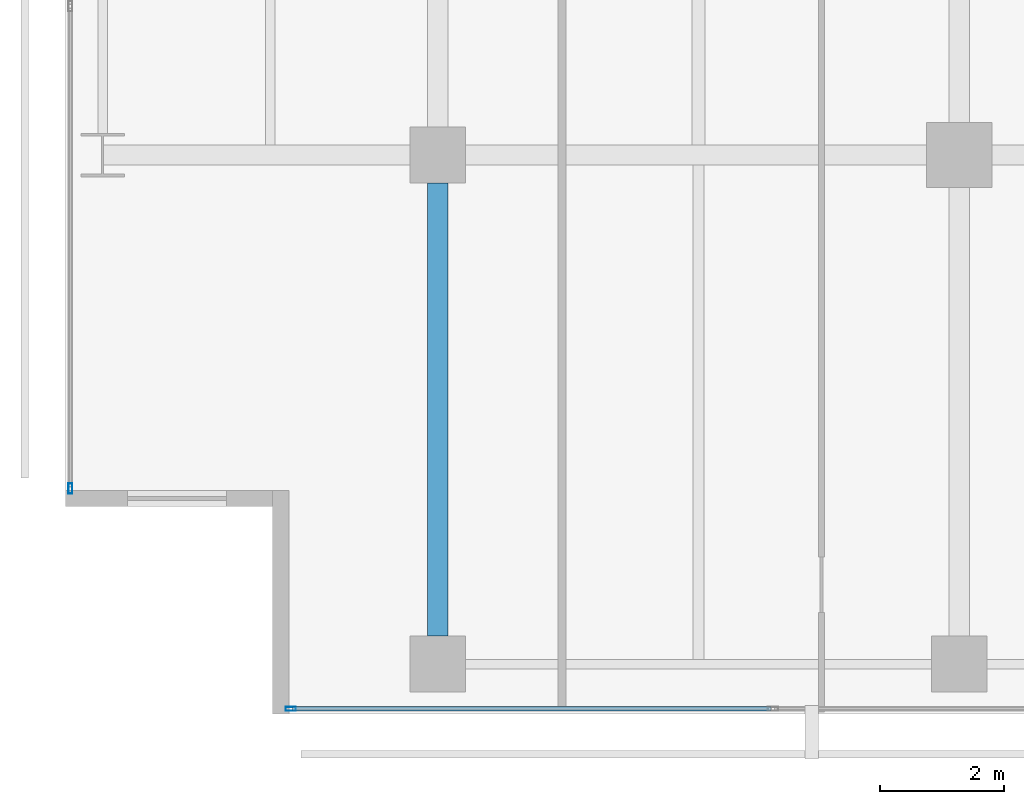
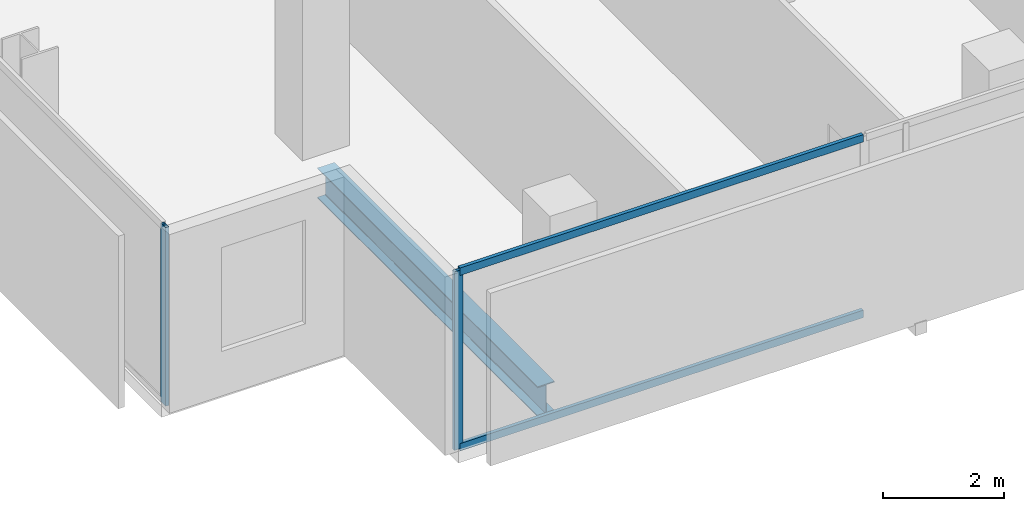
# One storey, part 2 of 40: 4 members, 1 beam, 2 elements without a shape of their own.
"""IFC4 building model written with IfcOpenShell, lengths in metres."""

from ifc_helpers import new_model, si_unit, direction, frame, origin, origin_2d, place, context, subcontext, project, spatial, hollow_rectangle, i_section, extrude, material, layer, layer_set, material_profile, profile_set, type_object, element, aggregate, save


model = new_model("IFC4")

# Units and contexts
model_context = context("Model", 3, precision=1e-05, world=origin(), true_north=direction((0.0, 1.0)))
body_context = subcontext(model_context, "Body", "Model", "MODEL_VIEW")
ifc_project = project(units=[si_unit("LENGTHUNIT", "METRE"), si_unit("AREAUNIT", "SQUARE_METRE"), si_unit("VOLUMEUNIT", "CUBIC_METRE"), si_unit("PLANEANGLEUNIT", "RADIAN"), si_unit("MASSUNIT", "GRAM", prefix="KILO")], contexts=[model_context])

# Site, building, storey
site_placement = place(None, origin())
site = spatial("IfcSite", under=ifc_project, at=site_placement, CompositionType="ELEMENT")
building_placement = place(site_placement, origin())
building = spatial("IfcBuilding", under=site, at=building_placement, Name="Maruvema Waterfront Hotel and Observation Tower", CompositionType="ELEMENT")
storey_placement = place(building_placement, frame((0.0, 0.0, 103.949951171875)))
storey = spatial("IfcBuildingStorey", under=building, at=storey_placement, Name="L25", CompositionType="ELEMENT", Elevation=103.949951171875)

# Curtain wall, members
ifc_material_1 = material(Name="Anodised bronze aluminium and solar-control low-E IGU", Category="aluminium")
ifc_layer = layer(ifc_material_1, 0.159912109375, Name="Zone 1 Bronze Inner Thermal Curtain Wall System CW-02")
ifc_layer_set = layer_set([ifc_layer], Name="Anodised bronze aluminium and solar-control low-E IGU")
curtain_wall_type = type_object("IfcCurtainWallType", Name="Zone 1 Bronze Inner Thermal Curtain Wall System CW-02", PredefinedType="USERDEFINED", material=ifc_layer_set)
curtain_wall_1_placement = place(storey_placement, origin())
curtain_wall_1 = element("IfcCurtainWall", 1, at=curtain_wall_1_placement, inside=storey, type_object=curtain_wall_type, Name="L25 Curtain Wall CW-L25-S", ObjectType="UNITISED CURTAIN WALL", PredefinedType="USERDEFINED")
ifc_material_2 = material(Name="Anodised architectural bronze aluminium", Category="aluminium")
ifc_material_profile_1 = material_profile(ifc_material_2, hollow_rectangle(XDim=0.070068359375, YDim=0.14990234375, WallThickness=0.00390625, at=origin_2d()), Name="ALU-T70x150")
ifc_profile_set_1 = profile_set([ifc_material_profile_1], Name="Anodised architectural bronze aluminium")
member_type_1 = type_object("IfcMemberType", Name="Curtain Wall Horizontal Transom ALU-T70x150", PredefinedType="USERDEFINED", material=ifc_profile_set_1)
member_1_placement = place(storey_placement, frame((14.4599609375, 0.080078125, 0.030029296875), z_axis=(1.0, 0.0, 0.0), x_axis=(0.0, 1.0, 0.0)))
member_1 = element("IfcMember", 2, at=member_1_placement, type_object=member_type_1, Name="CW-02 transom 1.1", ObjectType="TRANSOM", PredefinedType="USERDEFINED", context=body_context, shape_type="SweptSolid", body=[
    extrude(hollow_rectangle(XDim=0.070068359375, YDim=0.14990234375, WallThickness=0.00390625, at=origin_2d()), origin(), (0.0, 0.0, 1.0), 7.7099609375),
])
member_2_placement = place(storey_placement, frame((14.4599609375, 0.080078125, 3.580078125), z_axis=(1.0, 0.0, 0.0), x_axis=(0.0, 1.0, 0.0)))
member_2 = element("IfcMember", 3, at=member_2_placement, type_object=member_type_1, Name="CW-02 transom 1.2", ObjectType="TRANSOM", PredefinedType="USERDEFINED", context=body_context, shape_type="SweptSolid", body=[
    extrude(hollow_rectangle(XDim=0.070068359375, YDim=0.14990234375, WallThickness=0.00390625, at=origin_2d()), origin(), (0.0, 0.0, 1.0), 7.7099609375),
])
ifc_material_3 = material(Name="Anodised architectural bronze aluminium", Category="aluminium")
ifc_material_profile_2 = material_profile(ifc_material_3, hollow_rectangle(XDim=0.06494140625, YDim=0.1650390625, WallThickness=0.00390625, at=origin_2d()), Name="ALU-M65x165")
ifc_profile_set_2 = profile_set([ifc_material_profile_2], Name="Anodised architectural bronze aluminium")
member_type_2 = type_object("IfcMemberType", Name="Curtain Wall Primary Mullion ALU-M65x165", PredefinedType="MULLION", material=ifc_profile_set_2)
member_3_placement = place(storey_placement, frame((14.429931640625, 0.080078125, 0.0), z_axis=(0.0, 0.0, 1.0), x_axis=(0.0, 1.0, 0.0)))
member_3 = element("IfcMember", 4, at=member_3_placement, type_object=member_type_2, Name="CW-02 mullion 1", PredefinedType="MULLION", context=body_context, shape_type="SweptSolid", body=[
    extrude(hollow_rectangle(XDim=0.06494140625, YDim=0.1650390625, WallThickness=0.00390625, at=origin_2d()), origin(), (0.0, 0.0, 1.0), 3.610107421875),
])
aggregate(curtain_wall_1, [member_3, member_1, member_2])

# Curtain wall, member
curtain_wall_2_placement = place(storey_placement, origin())
curtain_wall_2 = element("IfcCurtainWall", 5, at=curtain_wall_2_placement, inside=storey, type_object=curtain_wall_type, Name="L25 Curtain Wall CW-L25-W", ObjectType="UNITISED CURTAIN WALL", PredefinedType="USERDEFINED")
member_4_placement = place(storey_placement, frame((10.8798828125, 3.6298828125, 0.0), z_axis=(0.0, 0.0, 1.0), x_axis=(1.0, 0.0, 0.0)))
member_4 = element("IfcMember", 6, at=member_4_placement, type_object=member_type_2, Name="CW-02 mullion 7", PredefinedType="MULLION", context=body_context, shape_type="SweptSolid", body=[
    extrude(hollow_rectangle(XDim=0.06494140625, YDim=0.1650390625, WallThickness=0.00390625, at=origin_2d()), origin(), (0.0, 0.0, 1.0), 3.610107421875),
])
aggregate(curtain_wall_2, [member_4])

# Beam
ifc_material_4 = material(Name="Steel ASTM A572 Grade 50", Category="steel")
ifc_material_profile_3 = material_profile(ifc_material_4, i_section(OverallWidth=0.323974609375, OverallDepth=0.611083984375, WebThickness=0.0126953125, FlangeThickness=0.01904296875, FilletRadius=0.01806640625, at=origin_2d()), Name="W610x155.0")
ifc_profile_set_3 = profile_set([ifc_material_profile_3], Name="Steel ASTM A572 Grade 50")
beam_type = type_object("IfcBeamType", Name="Primary Floor Girder W610x155.0", PredefinedType="BEAM", material=ifc_profile_set_3)
beam_placement = place(storey_placement, frame((16.800048828125, 1.25, -0.54541015625), z_axis=(0.0, 1.0, 0.0), x_axis=(-1.0, 0.0, 0.0)))
element("IfcBeam", 7, at=beam_placement, inside=storey, type_object=beam_type, Name="L25 Floor Girder NS-05", PredefinedType="BEAM", context=body_context, shape_type="SweptSolid", body=[
    extrude(i_section(OverallWidth=0.323974609375, OverallDepth=0.611083984375, WebThickness=0.0126953125, FlangeThickness=0.01904296875, FilletRadius=0.01806640625, at=origin_2d()), origin(), (0.0, 0.0, 1.0), 7.300048828125),
])

save(model, "model.ifc")
